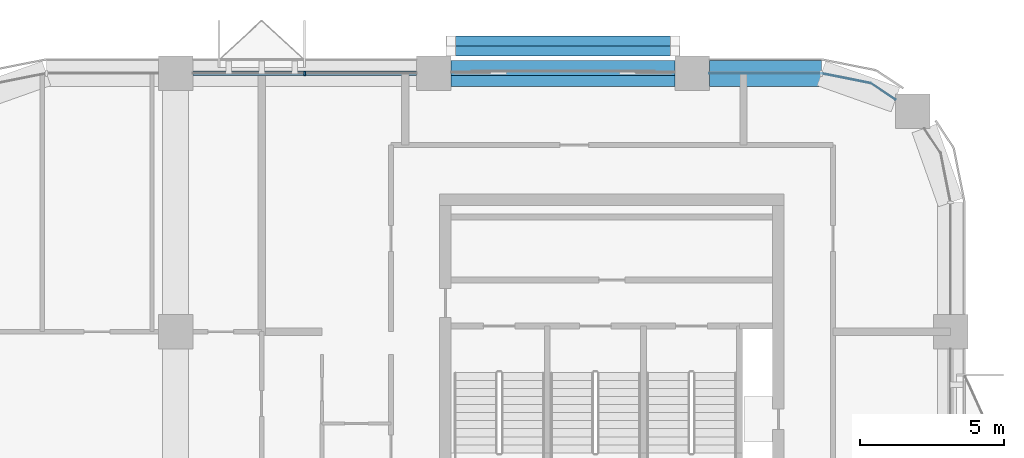
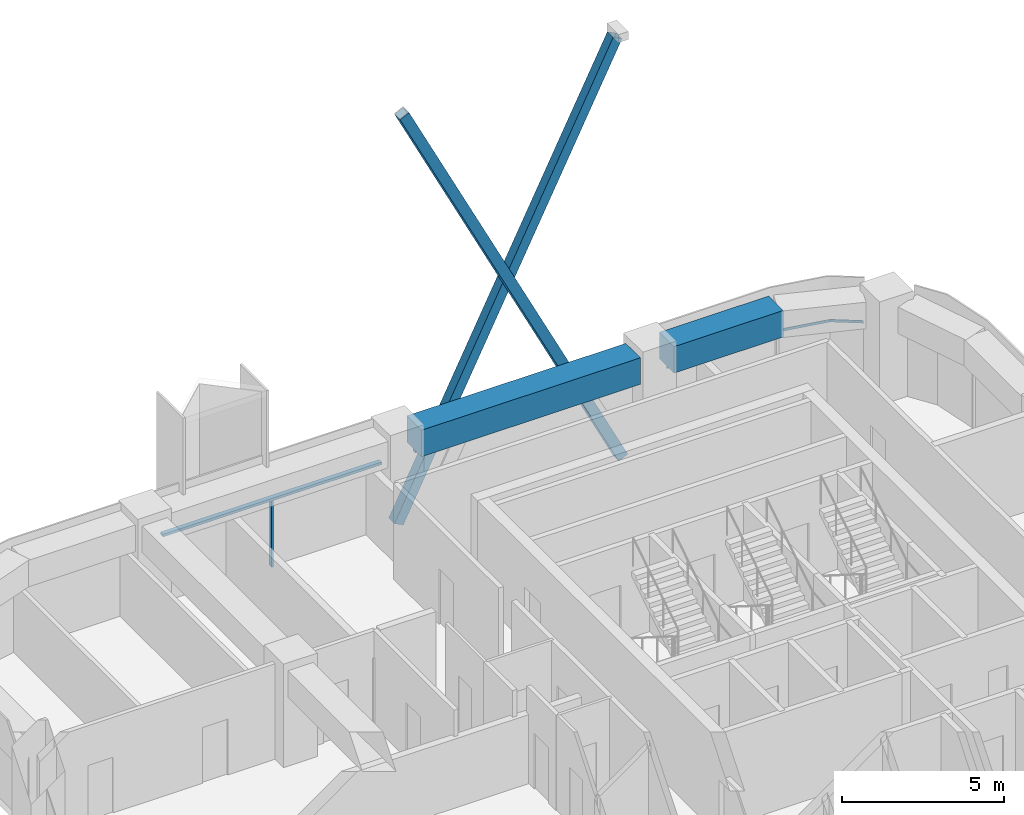
# One storey, part 4 of 11: 6 members, 2 beams, 3 elements without a shape of their own.
"""IFC4 building model written with IfcOpenShell, lengths in metres."""

from ifc_helpers import new_model, si_unit, direction, frame, origin, origin_2d, place, context, subcontext, project, spatial, polyline, rectangle, hollow_rectangle, outline, extrude, material, material_profile, profile_set, type_object, element, aggregate, save


model = new_model("IFC4")

# Units and contexts
model_context = context("Model", 3, precision=1e-05, world=origin(), true_north=direction((0.0, 1.0)))
body_context = subcontext(model_context, "Body", "Model", "MODEL_VIEW")
ifc_project = project(units=[si_unit("LENGTHUNIT", "METRE"), si_unit("AREAUNIT", "SQUARE_METRE"), si_unit("VOLUMEUNIT", "CUBIC_METRE"), si_unit("PLANEANGLEUNIT", "RADIAN"), si_unit("MASSUNIT", "GRAM", prefix="KILO")], contexts=[model_context])

# Site, building, storey
site_placement = place(None, origin())
site = spatial("IfcSite", under=ifc_project, at=site_placement, CompositionType="ELEMENT")
building_placement = place(site_placement, origin())
building = spatial("IfcBuilding", under=site, at=building_placement, Name="Tessera Arch", CompositionType="ELEMENT")
storey_placement = place(building_placement, frame((0.0, 0.0, 250.10009765625)))
storey = spatial("IfcBuildingStorey", under=building, at=storey_placement, Name="L60", CompositionType="ELEMENT", Elevation=250.10009765625)

# Members
ifc_material_1 = material(Name="Steel A500 Gr C", Category="steel")
ifc_material_profile_1 = material_profile(ifc_material_1, hollow_rectangle(XDim=0.355712890625, YDim=0.355712890625, WallThickness=0.01171875, at=origin_2d()), Name="HSS14x14x1/2")
ifc_profile_set_1 = profile_set([ifc_material_profile_1], Name="Steel A500 Gr C")
member_type_1 = type_object("IfcMemberType", Name="Brace HSS14x14x1/2 Steel A500 Gr C", PredefinedType="BRACE", material=ifc_profile_set_1)
for number, where, z_axis, x_axis, name in (
    (1, (44.39990234375, 54.77783203125, -0.800048828125), (-0.447207996293, 0.0, 0.894429990582), (0.0, -1.0, 0.0), "Brace N54.18-1 A L60-L63"),
    (2, (36.60009765625, 55.13330078125, -0.800048828125), (0.447207996293, 0.0, 0.894429990582), (0.0, 1.0, 0.0), "Brace N54.18-1 B L60-L63"),
):
    element("IfcMember", number, at=place(storey_placement, frame(where, z_axis=z_axis, x_axis=x_axis)), inside=storey, type_object=member_type_1, Name=name, PredefinedType="BRACE", context=body_context, shape_type="SweptSolid", body=[
        extrude(hollow_rectangle(XDim=0.355712890625, YDim=0.355712890625, WallThickness=0.01171875, at=origin_2d()), origin(), (0.0, 0.0, 1.0), 17.441162109375),
    ])

# Curtain wall, members
ifc_material_2 = material(Name="CW1 curtain wall")
curtain_wall_type_1 = type_object("IfcCurtainWallType", Name="CW1 curtain wall", PredefinedType="NOTDEFINED", material=ifc_material_2)
curtain_wall_1_placement = place(storey_placement, origin())
curtain_wall_1 = element("IfcCurtainWall", 3, at=curtain_wall_1_placement, inside=storey, type_object=curtain_wall_type_1, Name="CW1 curtain wall N54.18/2 L60", PredefinedType="NOTDEFINED")
ifc_material_3 = material(Name="Anodised aluminium pale metal", Category="aluminium")
ifc_material_profile_2 = material_profile(ifc_material_3, rectangle(XDim=0.159912109375, YDim=0.06005859375, at=origin_2d()), Name="AL 60x160")
ifc_profile_set_2 = profile_set([ifc_material_profile_2], Name="Anodised aluminium pale metal")
member_type_2 = type_object("IfcMemberType", Name="CW1 mullion", PredefinedType="MULLION", material=ifc_profile_set_2)
member_1_placement = place(storey_placement, frame((31.5, 54.0, 0.0), z_axis=(0.0, 0.0, 1.0), x_axis=(0.0, -1.0, 0.0)))
member_1 = element("IfcMember", 4, at=member_1_placement, type_object=member_type_2, Name="CW1 mullion N54.18/2 1", PredefinedType="MULLION", context=body_context, shape_type="SweptSolid", body=[
    extrude(rectangle(XDim=0.159912109375, YDim=0.06005859375, at=origin_2d()), origin(), (0.0, 0.0, 1.0), 2.5),
])
ifc_material_4 = material(Name="Anodised aluminium pale metal", Category="aluminium")
ifc_material_profile_3 = material_profile(ifc_material_4, rectangle(XDim=0.159912109375, YDim=0.10009765625, at=origin_2d()), Name="AL 160x100")
ifc_profile_set_3 = profile_set([ifc_material_profile_3], Name="Anodised aluminium pale metal")
member_type_3 = type_object("IfcMemberType", Name="CW1 transom", PredefinedType="USERDEFINED", material=ifc_profile_set_3)
member_2_placement = place(storey_placement, frame((35.39990234375, 54.0, 2.5498046875), z_axis=(-1.0, 0.0, 0.0), x_axis=(0.0, -1.0, 0.0)))
member_2 = element("IfcMember", 5, at=member_2_placement, type_object=member_type_3, Name="CW1 transom N54.18/2 1.1", ObjectType="TRANSOM", PredefinedType="USERDEFINED", context=body_context, shape_type="SweptSolid", body=[
    extrude(rectangle(XDim=0.159912109375, YDim=0.10009765625, at=origin_2d()), origin(), (0.0, 0.0, 1.0), 7.7998046875),
])
aggregate(curtain_wall_1, [member_1, member_2])

# Curtain wall, member
ifc_material_5 = material(Name="CW2 curtain wall")
curtain_wall_type_2 = type_object("IfcCurtainWallType", Name="CW2 curtain wall", PredefinedType="NOTDEFINED", material=ifc_material_5)
curtain_wall_2_placement = place(storey_placement, origin())
curtain_wall_2 = element("IfcCurtainWall", 6, at=curtain_wall_2_placement, inside=storey, type_object=curtain_wall_type_2, Name="CW2 curtain wall N54.18/0 L60", PredefinedType="NOTDEFINED")
ifc_material_6 = material(Name="Anodised aluminium pale metal", Category="aluminium")
ifc_material_profile_4 = material_profile(ifc_material_6, rectangle(XDim=0.199951171875, YDim=0.10009765625, at=origin_2d()), Name="AL 200x100")
ifc_profile_set_4 = profile_set([ifc_material_profile_4], Name="Anodised aluminium pale metal")
member_type_4 = type_object("IfcMemberType", Name="CW2 transom", PredefinedType="USERDEFINED", material=ifc_profile_set_4)
member_3_placement = place(storey_placement, frame((0.0, 0.0, 2.5)))
member_3 = element("IfcMember", 7, at=member_3_placement, type_object=member_type_4, Name="CW2 transom N54.18/0 1", ObjectType="TRANSOM", PredefinedType="USERDEFINED", context=body_context, shape_type="SweptSolid", body=[
    extrude(outline(polyline([(51.21826171875, 53.648193359375), (52.076416015625, 53.07470703125), (52.087646484375, 53.09130859375), (51.22607421875, 53.6669921875), (49.5009765625, 54.010009765625), (45.60009765625, 54.010009765625), (45.60009765625, 53.989990234375), (49.4990234375, 53.989990234375), (51.21826171875, 53.648193359375)])), origin(), (0.0, 0.0, 1.0), 0.099853515625),
])
aggregate(curtain_wall_2, [member_3])

ifc_material_7 = material(Name="CW3 curtain wall")
curtain_wall_type_3 = type_object("IfcCurtainWallType", Name="CW3 curtain wall", PredefinedType="NOTDEFINED", material=ifc_material_7)
curtain_wall_3_placement = place(storey_placement, origin())
curtain_wall_3 = element("IfcCurtainWall", 8, at=curtain_wall_3_placement, inside=storey, type_object=curtain_wall_type_3, Name="CW3 curtain wall N54.18/1 L60", PredefinedType="NOTDEFINED")
ifc_material_8 = material(Name="Anodised aluminium pale metal", Category="aluminium")
ifc_material_profile_5 = material_profile(ifc_material_8, rectangle(XDim=0.139892578125, YDim=0.10009765625, at=origin_2d()), Name="AL 140x100")
ifc_profile_set_5 = profile_set([ifc_material_profile_5], Name="Anodised aluminium pale metal")
member_type_5 = type_object("IfcMemberType", Name="CW3 transom", PredefinedType="USERDEFINED", material=ifc_profile_set_5)
member_4_placement = place(storey_placement, frame((44.39990234375, 54.0, 2.5498046875), z_axis=(-1.0, 0.0, 0.0), x_axis=(0.0, -1.0, 0.0)))
member_4 = element("IfcMember", 9, at=member_4_placement, type_object=member_type_5, Name="CW3 transom N54.18/1 1.1", ObjectType="TRANSOM", PredefinedType="USERDEFINED", context=body_context, shape_type="SweptSolid", body=[
    extrude(rectangle(XDim=0.139892578125, YDim=0.10009765625, at=origin_2d()), origin(), (0.0, 0.0, 1.0), 7.7998046875),
])
aggregate(curtain_wall_3, [member_4])

# Beams
ifc_material_9 = material(Name="Concrete C60/75", Category="concrete")
ifc_material_profile_6 = material_profile(ifc_material_9, rectangle(XDim=0.89990234375, YDim=1.0, at=origin_2d()), Name="RC spandrel beam 900 x 1000 Concrete C60/75")
ifc_profile_set_6 = profile_set([ifc_material_profile_6], Name="Concrete C60/75")
beam_type = type_object("IfcBeamType", Name="RC spandrel beam 900 x 1000 Concrete C60/75", PredefinedType="BEAM", material=ifc_profile_set_6)
beam_1_placement = place(storey_placement, frame((49.5, 54.0, 3.099853515625), z_axis=(-1.0, 0.0, 0.0), x_axis=(0.0, -1.0, 0.0)))
element("IfcBeam", 10, at=beam_1_placement, inside=storey, type_object=beam_type, Name="Spandrel beam L60 N54.18/0.2", PredefinedType="BEAM", context=body_context, shape_type="SweptSolid", body=[
    extrude(rectangle(XDim=0.89990234375, YDim=1.0, at=origin_2d()), origin(), (0.0, 0.0, 1.0), 3.89990234375),
])
beam_2_placement = place(storey_placement, frame((44.39990234375, 54.0, 3.099853515625), z_axis=(-1.0, 0.0, 0.0), x_axis=(0.0, -1.0, 0.0)))
element("IfcBeam", 11, at=beam_2_placement, inside=storey, type_object=beam_type, Name="Spandrel beam L60 N54.18/1", PredefinedType="BEAM", context=body_context, shape_type="SweptSolid", body=[
    extrude(rectangle(XDim=0.89990234375, YDim=1.0, at=origin_2d()), origin(), (0.0, 0.0, 1.0), 7.7998046875),
])

save(model, "model.ifc")
